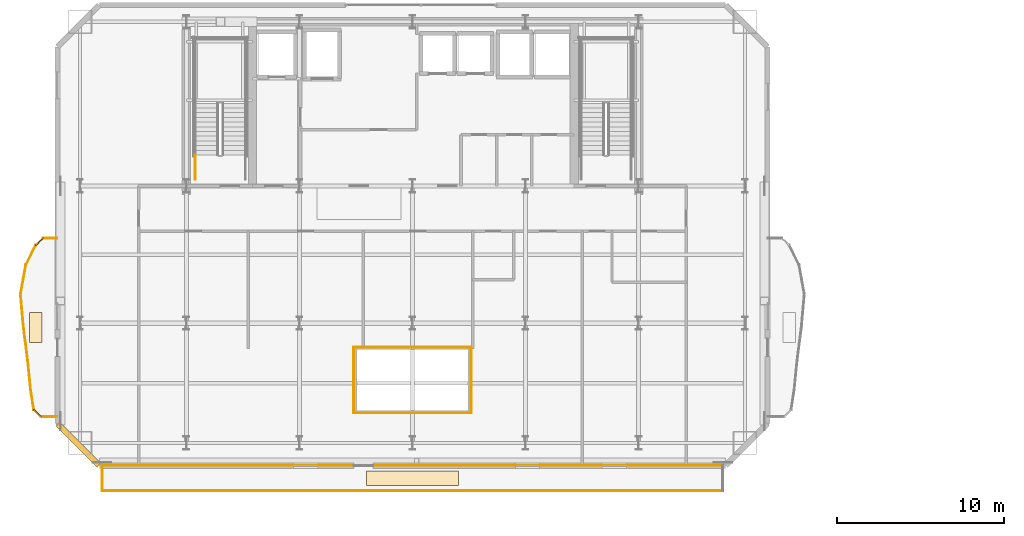
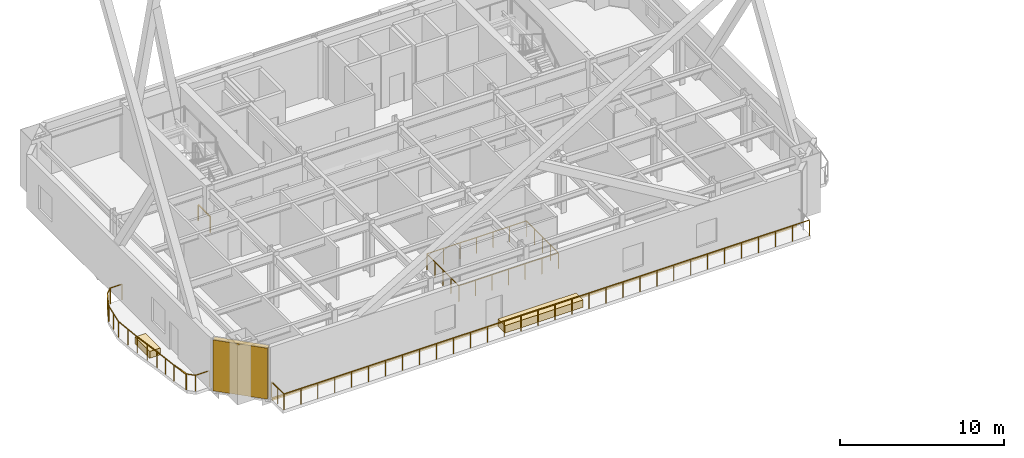
# One storey, part 17 of 22: 17 railings, 3 coverings, 1 shading device.
"""IFC4 building model written with IfcOpenShell, lengths in metres."""

from ifc_helpers import new_model, si_unit, direction, frame, origin, origin_2d, place, context, subcontext, project, spatial, rectangle, extrude, material, layer, layer_set, type_object, element, save


model = new_model("IFC4")

# Units and contexts
model_context = context("Model", 3, precision=1e-05, world=origin(), true_north=direction((0.0, 1.0)))
body_context = subcontext(model_context, "Body", "Model", "MODEL_VIEW")
ifc_project = project(units=[si_unit("LENGTHUNIT", "METRE"), si_unit("AREAUNIT", "SQUARE_METRE"), si_unit("VOLUMEUNIT", "CUBIC_METRE"), si_unit("PLANEANGLEUNIT", "RADIAN"), si_unit("MASSUNIT", "GRAM", prefix="KILO")], contexts=[model_context])

# Site, building, storey
site_placement = place(None, origin())
site = spatial("IfcSite", under=ifc_project, at=site_placement, CompositionType="ELEMENT")
building_placement = place(site_placement, origin())
building = spatial("IfcBuilding", under=site, at=building_placement, Name="Haevon Station Towers", CompositionType="ELEMENT")
storey_placement = place(building_placement, frame((0.0, 0.0, 133.800048828125)))
storey = spatial("IfcBuildingStorey", under=building, at=storey_placement, Name="L36", CompositionType="ELEMENT", Elevation=133.800048828125)

# Railings
ifc_material_1 = material(Name="Steel S355", Category="steel")
railing_type_1 = type_object("IfcRailingType", Name="BAL-ATR1200", PredefinedType="BALUSTRADE", material=ifc_material_1)
railing_1_placement = place(storey_placement, frame((33.995361328125, 24.641357421875, 0.0)))
element("IfcRailing", 1, at=railing_1_placement, inside=storey, type_object=railing_type_1, Name="L36 Atrium Void Balustrade 1", PredefinedType="BALUSTRADE", context=body_context, shape_type="SweptSolid", body=[
    extrude(rectangle(XDim=0.048095703125, YDim=0.048095703125, at=origin_2d()), frame((0.0, 0.0, 1.17578125), z_axis=(1.0, 0.0, 0.0), x_axis=(0.0, 1.0, 0.0)), (0.0, 0.0, 1.0), 7.00927734375),
    extrude(rectangle(XDim=0.0419921875, YDim=0.0419921875, at=origin_2d()), origin(), (0.0, 0.0, 1.0), 1.15185546875),
    extrude(rectangle(XDim=0.0419921875, YDim=0.0419921875, at=origin_2d()), frame((1.168212890625, 0.0, 0.0)), (0.0, 0.0, 1.0), 1.15185546875),
    extrude(rectangle(XDim=0.0419921875, YDim=0.0419921875, at=origin_2d()), frame((2.33642578125, 0.0, 0.0)), (0.0, 0.0, 1.0), 1.15185546875),
    extrude(rectangle(XDim=0.0419921875, YDim=0.0419921875, at=origin_2d()), frame((3.504638671875, 0.0, 0.0)), (0.0, 0.0, 1.0), 1.15185546875),
    extrude(rectangle(XDim=0.0419921875, YDim=0.0419921875, at=origin_2d()), frame((4.6728515625, 0.0, 0.0)), (0.0, 0.0, 1.0), 1.15185546875),
    extrude(rectangle(XDim=0.0419921875, YDim=0.0419921875, at=origin_2d()), frame((5.841064453125, 0.0, 0.0)), (0.0, 0.0, 1.0), 1.15185546875),
    extrude(rectangle(XDim=0.0419921875, YDim=0.0419921875, at=origin_2d()), frame((7.00927734375, 0.0, 0.0)), (0.0, 0.0, 1.0), 1.15185546875),
])
railing_2_placement = place(storey_placement, frame((41.004638671875, 24.641357421875, 0.0)))
element("IfcRailing", 2, at=railing_2_placement, inside=storey, type_object=railing_type_1, Name="L36 Atrium Void Balustrade 2", PredefinedType="BALUSTRADE", context=body_context, shape_type="SweptSolid", body=[
    extrude(rectangle(XDim=0.048095703125, YDim=0.048095703125, at=origin_2d()), frame((0.0, 0.0, 1.17578125), z_axis=(0.0, 1.0, 0.0), x_axis=(-1.0, 0.0, 0.0)), (0.0, 0.0, 1.0), 3.917236328125),
    extrude(rectangle(XDim=0.0419921875, YDim=0.0419921875, at=origin_2d()), origin(), (0.0, 0.0, 1.0), 1.15185546875),
    extrude(rectangle(XDim=0.0419921875, YDim=0.0419921875, at=origin_2d()), frame((0.0, 0.979248046875, 0.0)), (0.0, 0.0, 1.0), 1.15185546875),
    extrude(rectangle(XDim=0.0419921875, YDim=0.0419921875, at=origin_2d()), frame((0.0, 1.95849609375, 0.0)), (0.0, 0.0, 1.0), 1.15185546875),
    extrude(rectangle(XDim=0.0419921875, YDim=0.0419921875, at=origin_2d()), frame((0.0, 2.93798828125, 0.0)), (0.0, 0.0, 1.0), 1.15185546875),
    extrude(rectangle(XDim=0.0419921875, YDim=0.0419921875, at=origin_2d()), frame((0.0, 3.917236328125, 0.0)), (0.0, 0.0, 1.0), 1.15185546875),
])
railing_3_placement = place(storey_placement, frame((41.004638671875, 28.55859375, 0.0)))
element("IfcRailing", 3, at=railing_3_placement, inside=storey, type_object=railing_type_1, Name="L36 Atrium Void Balustrade 3", PredefinedType="BALUSTRADE", context=body_context, shape_type="SweptSolid", body=[
    extrude(rectangle(XDim=0.048095703125, YDim=0.048095703125, at=origin_2d()), frame((0.0, 0.0, 1.17578125), z_axis=(-1.0, 0.0, 0.0), x_axis=(0.0, -1.0, 0.0)), (0.0, 0.0, 1.0), 7.00927734375),
    extrude(rectangle(XDim=0.0419921875, YDim=0.0419921875, at=origin_2d()), origin(), (0.0, 0.0, 1.0), 1.15185546875),
    extrude(rectangle(XDim=0.0419921875, YDim=0.0419921875, at=origin_2d()), frame((-1.168212890625, 0.0, 0.0)), (0.0, 0.0, 1.0), 1.15185546875),
    extrude(rectangle(XDim=0.0419921875, YDim=0.0419921875, at=origin_2d()), frame((-2.33642578125, 0.0, 0.0)), (0.0, 0.0, 1.0), 1.15185546875),
    extrude(rectangle(XDim=0.0419921875, YDim=0.0419921875, at=origin_2d()), frame((-3.504638671875, 0.0, 0.0)), (0.0, 0.0, 1.0), 1.15185546875),
    extrude(rectangle(XDim=0.0419921875, YDim=0.0419921875, at=origin_2d()), frame((-4.6728515625, 0.0, 0.0)), (0.0, 0.0, 1.0), 1.15185546875),
    extrude(rectangle(XDim=0.0419921875, YDim=0.0419921875, at=origin_2d()), frame((-5.841064453125, 0.0, 0.0)), (0.0, 0.0, 1.0), 1.15185546875),
    extrude(rectangle(XDim=0.0419921875, YDim=0.0419921875, at=origin_2d()), frame((-7.00927734375, 0.0, 0.0)), (0.0, 0.0, 1.0), 1.15185546875),
])
railing_4_placement = place(storey_placement, frame((33.995361328125, 28.55859375, 0.0)))
element("IfcRailing", 4, at=railing_4_placement, inside=storey, type_object=railing_type_1, Name="L36 Atrium Void Balustrade 4", PredefinedType="BALUSTRADE", context=body_context, shape_type="SweptSolid", body=[
    extrude(rectangle(XDim=0.048095703125, YDim=0.048095703125, at=origin_2d()), frame((0.0, 0.0, 1.17578125), z_axis=(0.0, -1.0, 0.0), x_axis=(1.0, 0.0, 0.0)), (0.0, 0.0, 1.0), 3.917236328125),
    extrude(rectangle(XDim=0.0419921875, YDim=0.0419921875, at=origin_2d()), origin(), (0.0, 0.0, 1.0), 1.15185546875),
    extrude(rectangle(XDim=0.0419921875, YDim=0.0419921875, at=origin_2d()), frame((0.0, -0.979248046875, 0.0)), (0.0, 0.0, 1.0), 1.15185546875),
    extrude(rectangle(XDim=0.0419921875, YDim=0.0419921875, at=origin_2d()), frame((0.0, -1.95849609375, 0.0)), (0.0, 0.0, 1.0), 1.15185546875),
    extrude(rectangle(XDim=0.0419921875, YDim=0.0419921875, at=origin_2d()), frame((0.0, -2.93798828125, 0.0)), (0.0, 0.0, 1.0), 1.15185546875),
    extrude(rectangle(XDim=0.0419921875, YDim=0.0419921875, at=origin_2d()), frame((0.0, -3.917236328125, 0.0)), (0.0, 0.0, 1.0), 1.15185546875),
])

# Covering
ifc_material_2 = material(Name="Anodised aluminium 6063-T6", Category="aluminium")
ifc_layer_1 = layer(ifc_material_2, 0.0400390625)
ifc_layer_set_1 = layer_set([ifc_layer_1], Name="Anodised aluminium 6063-T6")
covering_type_1 = type_object("IfcCoveringType", Name="COV-CLAD40", PredefinedType="CLADDING", material=ifc_layer_set_1)
covering_1_placement = place(storey_placement, frame((37.5, 21.5, -0.240234375), z_axis=(0.0, 0.0, 1.0), x_axis=(1.0, 0.0, 0.0)))
element("IfcCovering", 5, at=covering_1_placement, inside=storey, type_object=covering_type_1, Name="Tower 1 L36 Spandrel Fascia Cladding", PredefinedType="CLADDING", context=body_context, shape_type="SweptSolid", body=[
    extrude(rectangle(XDim=37.0, YDim=0.0400390625, at=origin_2d()), origin(), (0.0, 0.0, 1.0), 0.239990234375),
])

# Railings
railing_type_2 = type_object("IfcRailingType", Name="GRD-EXT1200", PredefinedType="GUARDRAIL", material=ifc_material_1)
railing_5_placement = place(storey_placement, frame((18.97998046875, 20.003173828125, 0.0)))
element("IfcRailing", 6, at=railing_5_placement, inside=storey, type_object=railing_type_2, Name="L36 Perimeter Guardrail 1", PredefinedType="GUARDRAIL", context=body_context, shape_type="SweptSolid", body=[
    extrude(rectangle(XDim=0.048095703125, YDim=0.048095703125, at=origin_2d()), frame((0.0, 0.0, 1.17578125), z_axis=(1.0, 0.0, 0.0), x_axis=(0.0, 1.0, 0.0)), (0.0, 0.0, 1.0), 37.0400390625),
    extrude(rectangle(XDim=0.0419921875, YDim=0.0419921875, at=origin_2d()), origin(), (0.0, 0.0, 1.0), 1.15185546875),
    extrude(rectangle(XDim=0.0419921875, YDim=0.0419921875, at=origin_2d()), frame((1.19482421875, 0.0, 0.0)), (0.0, 0.0, 1.0), 1.15185546875),
    extrude(rectangle(XDim=0.0419921875, YDim=0.0419921875, at=origin_2d()), frame((2.3896484375, 0.0, 0.0)), (0.0, 0.0, 1.0), 1.15185546875),
    extrude(rectangle(XDim=0.0419921875, YDim=0.0419921875, at=origin_2d()), frame((3.58447265625, 0.0, 0.0)), (0.0, 0.0, 1.0), 1.15185546875),
    extrude(rectangle(XDim=0.0419921875, YDim=0.0419921875, at=origin_2d()), frame((4.779296875, 0.0, 0.0)), (0.0, 0.0, 1.0), 1.15185546875),
    extrude(rectangle(XDim=0.0419921875, YDim=0.0419921875, at=origin_2d()), frame((5.97412109375, 0.0, 0.0)), (0.0, 0.0, 1.0), 1.15185546875),
    extrude(rectangle(XDim=0.0419921875, YDim=0.0419921875, at=origin_2d()), frame((7.1689453125, 0.0, 0.0)), (0.0, 0.0, 1.0), 1.15185546875),
    extrude(rectangle(XDim=0.0419921875, YDim=0.0419921875, at=origin_2d()), frame((8.36376953125, 0.0, 0.0)), (0.0, 0.0, 1.0), 1.15185546875),
    extrude(rectangle(XDim=0.0419921875, YDim=0.0419921875, at=origin_2d()), frame((9.558837890625, 0.0, 0.0)), (0.0, 0.0, 1.0), 1.15185546875),
    extrude(rectangle(XDim=0.0419921875, YDim=0.0419921875, at=origin_2d()), frame((10.753662109375, 0.0, 0.0)), (0.0, 0.0, 1.0), 1.15185546875),
    extrude(rectangle(XDim=0.0419921875, YDim=0.0419921875, at=origin_2d()), frame((11.948486328125, 0.0, 0.0)), (0.0, 0.0, 1.0), 1.15185546875),
    extrude(rectangle(XDim=0.0419921875, YDim=0.0419921875, at=origin_2d()), frame((13.143310546875, 0.0, 0.0)), (0.0, 0.0, 1.0), 1.15185546875),
    extrude(rectangle(XDim=0.0419921875, YDim=0.0419921875, at=origin_2d()), frame((14.338134765625, 0.0, 0.0)), (0.0, 0.0, 1.0), 1.15185546875),
    extrude(rectangle(XDim=0.0419921875, YDim=0.0419921875, at=origin_2d()), frame((15.532958984375, 0.0, 0.0)), (0.0, 0.0, 1.0), 1.15185546875),
    extrude(rectangle(XDim=0.0419921875, YDim=0.0419921875, at=origin_2d()), frame((16.727783203125, 0.0, 0.0)), (0.0, 0.0, 1.0), 1.15185546875),
    extrude(rectangle(XDim=0.0419921875, YDim=0.0419921875, at=origin_2d()), frame((17.922607421875, 0.0, 0.0)), (0.0, 0.0, 1.0), 1.15185546875),
    extrude(rectangle(XDim=0.0419921875, YDim=0.0419921875, at=origin_2d()), frame((19.117431640625, 0.0, 0.0)), (0.0, 0.0, 1.0), 1.15185546875),
    extrude(rectangle(XDim=0.0419921875, YDim=0.0419921875, at=origin_2d()), frame((20.312255859375, 0.0, 0.0)), (0.0, 0.0, 1.0), 1.15185546875),
    extrude(rectangle(XDim=0.0419921875, YDim=0.0419921875, at=origin_2d()), frame((21.507080078125, 0.0, 0.0)), (0.0, 0.0, 1.0), 1.15185546875),
    extrude(rectangle(XDim=0.0419921875, YDim=0.0419921875, at=origin_2d()), frame((22.701904296875, 0.0, 0.0)), (0.0, 0.0, 1.0), 1.15185546875),
    extrude(rectangle(XDim=0.0419921875, YDim=0.0419921875, at=origin_2d()), frame((23.896728515625, 0.0, 0.0)), (0.0, 0.0, 1.0), 1.15185546875),
    extrude(rectangle(XDim=0.0419921875, YDim=0.0419921875, at=origin_2d()), frame((25.091552734375, 0.0, 0.0)), (0.0, 0.0, 1.0), 1.15185546875),
    extrude(rectangle(XDim=0.0419921875, YDim=0.0419921875, at=origin_2d()), frame((26.286376953125, 0.0, 0.0)), (0.0, 0.0, 1.0), 1.15185546875),
    extrude(rectangle(XDim=0.0419921875, YDim=0.0419921875, at=origin_2d()), frame((27.481201171875, 0.0, 0.0)), (0.0, 0.0, 1.0), 1.15185546875),
    extrude(rectangle(XDim=0.0419921875, YDim=0.0419921875, at=origin_2d()), frame((28.67626953125, 0.0, 0.0)), (0.0, 0.0, 1.0), 1.15185546875),
    extrude(rectangle(XDim=0.0419921875, YDim=0.0419921875, at=origin_2d()), frame((29.87109375, 0.0, 0.0)), (0.0, 0.0, 1.0), 1.15185546875),
    extrude(rectangle(XDim=0.0419921875, YDim=0.0419921875, at=origin_2d()), frame((31.06591796875, 0.0, 0.0)), (0.0, 0.0, 1.0), 1.15185546875),
    extrude(rectangle(XDim=0.0419921875, YDim=0.0419921875, at=origin_2d()), frame((32.2607421875, 0.0, 0.0)), (0.0, 0.0, 1.0), 1.15185546875),
    extrude(rectangle(XDim=0.0419921875, YDim=0.0419921875, at=origin_2d()), frame((33.45556640625, 0.0, 0.0)), (0.0, 0.0, 1.0), 1.15185546875),
    extrude(rectangle(XDim=0.0419921875, YDim=0.0419921875, at=origin_2d()), frame((34.650390625, 0.0, 0.0)), (0.0, 0.0, 1.0), 1.15185546875),
    extrude(rectangle(XDim=0.0419921875, YDim=0.0419921875, at=origin_2d()), frame((35.84521484375, 0.0, 0.0)), (0.0, 0.0, 1.0), 1.15185546875),
    extrude(rectangle(XDim=0.0419921875, YDim=0.0419921875, at=origin_2d()), frame((37.0400390625, 0.0, 0.0)), (0.0, 0.0, 1.0), 1.15185546875),
])
railing_6_placement = place(storey_placement, frame((18.97998046875, 21.49169921875, 0.0)))
element("IfcRailing", 7, at=railing_6_placement, inside=storey, type_object=railing_type_2, Name="L36 Perimeter Guardrail 3", PredefinedType="GUARDRAIL", context=body_context, shape_type="SweptSolid", body=[
    extrude(rectangle(XDim=0.048095703125, YDim=0.048095703125, at=origin_2d()), frame((0.0, 0.0, 1.17578125), z_axis=(0.0, -1.0, 0.0), x_axis=(1.0, 0.0, 0.0)), (0.0, 0.0, 1.0), 1.488525390625),
    extrude(rectangle(XDim=0.0419921875, YDim=0.0419921875, at=origin_2d()), origin(), (0.0, 0.0, 1.0), 1.15185546875),
    extrude(rectangle(XDim=0.0419921875, YDim=0.0419921875, at=origin_2d()), frame((0.0, -0.744140625, 0.0)), (0.0, 0.0, 1.0), 1.15185546875),
    extrude(rectangle(XDim=0.0419921875, YDim=0.0419921875, at=origin_2d()), frame((0.0, -1.488525390625, 0.0)), (0.0, 0.0, 1.0), 1.15185546875),
])
railing_7_placement = place(storey_placement, frame((16.2763671875, 35.072265625, 0.0)))
element("IfcRailing", 8, at=railing_7_placement, inside=storey, type_object=railing_type_2, Name="L36 Perimeter Guardrail 1", PredefinedType="GUARDRAIL", context=body_context, shape_type="SweptSolid", body=[
    extrude(rectangle(XDim=0.048095703125, YDim=0.048095703125, at=origin_2d()), frame((0.0, 0.0, 1.17578125), z_axis=(-0.999997283225, -0.002330995998, 0.0), x_axis=(0.002330995998, -0.999997283225, 0.0)), (0.0, 0.0, 1.0), 0.837890625),
    extrude(rectangle(XDim=0.0419921875, YDim=0.0419921875, at=origin_2d()), origin(), (0.0, 0.0, 1.0), 1.15185546875),
    extrude(rectangle(XDim=0.0419921875, YDim=0.0419921875, at=origin_2d()), frame((-0.837890625, -0.001953125, 0.0)), (0.0, 0.0, 1.0), 1.15185546875),
])
railing_8_placement = place(storey_placement, frame((15.4384765625, 35.0703125, 0.0)))
element("IfcRailing", 9, at=railing_8_placement, inside=storey, type_object=railing_type_2, Name="L36 Perimeter Guardrail 2", PredefinedType="GUARDRAIL", context=body_context, shape_type="SweptSolid", body=[
    extrude(rectangle(XDim=0.048095703125, YDim=0.048095703125, at=origin_2d()), frame((0.0, 0.0, 1.17578125), z_axis=(-0.721936917326, -0.691958876959, 0.0), x_axis=(0.691958876959, -0.721936917326, 0.0)), (0.0, 0.0, 1.0), 0.594482421875),
    extrude(rectangle(XDim=0.0419921875, YDim=0.0419921875, at=origin_2d()), origin(), (0.0, 0.0, 1.0), 1.15185546875),
    extrude(rectangle(XDim=0.0419921875, YDim=0.0419921875, at=origin_2d()), frame((-0.42919921875, -0.411376953125, 0.0)), (0.0, 0.0, 1.0), 1.15185546875),
])
railing_9_placement = place(storey_placement, frame((15.00927734375, 34.658935546875, 0.0)))
element("IfcRailing", 10, at=railing_9_placement, inside=storey, type_object=railing_type_2, Name="L36 Perimeter Guardrail 3", PredefinedType="GUARDRAIL", context=body_context, shape_type="SweptSolid", body=[
    extrude(rectangle(XDim=0.048095703125, YDim=0.048095703125, at=origin_2d()), frame((0.0, 0.0, 1.17578125), z_axis=(-0.452787965093, -0.891618224728, 0.0), x_axis=(0.891618224728, -0.452787965093, 0.0)), (0.0, 0.0, 1.0), 1.311767578125),
    extrude(rectangle(XDim=0.0419921875, YDim=0.0419921875, at=origin_2d()), origin(), (0.0, 0.0, 1.0), 1.15185546875),
    extrude(rectangle(XDim=0.0419921875, YDim=0.0419921875, at=origin_2d()), frame((-0.296875, -0.5849609375, 0.0)), (0.0, 0.0, 1.0), 1.15185546875),
    extrude(rectangle(XDim=0.0419921875, YDim=0.0419921875, at=origin_2d()), frame((-0.593994140625, -1.169677734375, 0.0)), (0.0, 0.0, 1.0), 1.15185546875),
])
railing_10_placement = place(storey_placement, frame((14.415283203125, 33.4892578125, 0.0)))
element("IfcRailing", 11, at=railing_10_placement, inside=storey, type_object=railing_type_2, Name="L36 Perimeter Guardrail 4", PredefinedType="GUARDRAIL", context=body_context, shape_type="SweptSolid", body=[
    extrude(rectangle(XDim=0.048095703125, YDim=0.048095703125, at=origin_2d()), frame((0.0, 0.0, 1.17578125), z_axis=(-0.179418162839, -0.983772902068, 0.0), x_axis=(0.983772902068, -0.179418162839, 0.0)), (0.0, 0.0, 1.0), 1.7744140625),
    extrude(rectangle(XDim=0.0419921875, YDim=0.0419921875, at=origin_2d()), origin(), (0.0, 0.0, 1.0), 1.15185546875),
    extrude(rectangle(XDim=0.0419921875, YDim=0.0419921875, at=origin_2d()), frame((-0.1591796875, -0.872802734375, 0.0)), (0.0, 0.0, 1.0), 1.15185546875),
    extrude(rectangle(XDim=0.0419921875, YDim=0.0419921875, at=origin_2d()), frame((-0.318359375, -1.74560546875, 0.0)), (0.0, 0.0, 1.0), 1.15185546875),
])
railing_11_placement = place(storey_placement, frame((14.096923828125, 31.74365234375, 0.0)))
element("IfcRailing", 12, at=railing_11_placement, inside=storey, type_object=railing_type_2, Name="L36 Perimeter Guardrail 5", PredefinedType="GUARDRAIL", context=body_context, shape_type="SweptSolid", body=[
    extrude(rectangle(XDim=0.048095703125, YDim=0.048095703125, at=origin_2d()), frame((0.0, 0.0, 1.17578125), z_axis=(0.088918972693, -0.996038862844, 0.0), x_axis=(0.996038862844, 0.088918972693, 0.0)), (0.0, 0.0, 1.0), 2.00146484375),
    extrude(rectangle(XDim=0.0419921875, YDim=0.0419921875, at=origin_2d()), origin(), (0.0, 0.0, 1.0), 1.15185546875),
    extrude(rectangle(XDim=0.0419921875, YDim=0.0419921875, at=origin_2d()), frame((0.0888671875, -0.996826171875, 0.0)), (0.0, 0.0, 1.0), 1.15185546875),
    extrude(rectangle(XDim=0.0419921875, YDim=0.0419921875, at=origin_2d()), frame((0.177978515625, -1.99365234375, 0.0)), (0.0, 0.0, 1.0), 1.15185546875),
])
railing_12_placement = place(storey_placement, frame((14.27490234375, 29.75, 0.0)))
element("IfcRailing", 13, at=railing_12_placement, inside=storey, type_object=railing_type_2, Name="L36 Perimeter Guardrail 6", PredefinedType="GUARDRAIL", context=body_context, shape_type="SweptSolid", body=[
    extrude(rectangle(XDim=0.048095703125, YDim=0.048095703125, at=origin_2d()), frame((0.0, 0.0, 1.17578125), z_axis=(0.127480675673, -0.991841054469, 0.0), x_axis=(0.991841054469, 0.127480675673, 0.0)), (0.0, 0.0, 1.0), 2.005126953125),
    extrude(rectangle(XDim=0.0419921875, YDim=0.0419921875, at=origin_2d()), origin(), (0.0, 0.0, 1.0), 1.15185546875),
    extrude(rectangle(XDim=0.0419921875, YDim=0.0419921875, at=origin_2d()), frame((0.1279296875, -0.994384765625, 0.0)), (0.0, 0.0, 1.0), 1.15185546875),
    extrude(rectangle(XDim=0.0419921875, YDim=0.0419921875, at=origin_2d()), frame((0.255615234375, -1.98876953125, 0.0)), (0.0, 0.0, 1.0), 1.15185546875),
])
railing_13_placement = place(storey_placement, frame((14.530517578125, 27.76123046875, 0.0)))
element("IfcRailing", 14, at=railing_13_placement, inside=storey, type_object=railing_type_2, Name="L36 Perimeter Guardrail 7", PredefinedType="GUARDRAIL", context=body_context, shape_type="SweptSolid", body=[
    extrude(rectangle(XDim=0.048095703125, YDim=0.048095703125, at=origin_2d()), frame((0.0, 0.0, 1.17578125), z_axis=(0.100369612016, -0.994950220355, 0.0), x_axis=(0.994950220355, 0.100369612016, 0.0)), (0.0, 0.0, 1.0), 1.758544921875),
    extrude(rectangle(XDim=0.0419921875, YDim=0.0419921875, at=origin_2d()), origin(), (0.0, 0.0, 1.0), 1.15185546875),
    extrude(rectangle(XDim=0.0419921875, YDim=0.0419921875, at=origin_2d()), frame((0.08837890625, -0.875, 0.0)), (0.0, 0.0, 1.0), 1.15185546875),
    extrude(rectangle(XDim=0.0419921875, YDim=0.0419921875, at=origin_2d()), frame((0.176513671875, -1.749755859375, 0.0)), (0.0, 0.0, 1.0), 1.15185546875),
])
railing_14_placement = place(storey_placement, frame((14.70703125, 26.011474609375, 0.0)))
element("IfcRailing", 15, at=railing_14_placement, inside=storey, type_object=railing_type_2, Name="L36 Perimeter Guardrail 8", PredefinedType="GUARDRAIL", context=body_context, shape_type="SweptSolid", body=[
    extrude(rectangle(XDim=0.048095703125, YDim=0.048095703125, at=origin_2d()), frame((0.0, 0.0, 1.17578125), z_axis=(0.151545873125, -0.988450225524, 0.0), x_axis=(0.988450225524, 0.151545873125, 0.0)), (0.0, 0.0, 1.0), 1.18408203125),
    extrude(rectangle(XDim=0.0419921875, YDim=0.0419921875, at=origin_2d()), origin(), (0.0, 0.0, 1.0), 1.15185546875),
    extrude(rectangle(XDim=0.0419921875, YDim=0.0419921875, at=origin_2d()), frame((0.179443359375, -1.17041015625, 0.0)), (0.0, 0.0, 1.0), 1.15185546875),
])
railing_15_placement = place(storey_placement, frame((14.886474609375, 24.841064453125, 0.0)))
element("IfcRailing", 16, at=railing_15_placement, inside=storey, type_object=railing_type_2, Name="L36 Perimeter Guardrail 9", PredefinedType="GUARDRAIL", context=body_context, shape_type="SweptSolid", body=[
    extrude(rectangle(XDim=0.048095703125, YDim=0.048095703125, at=origin_2d()), frame((0.0, 0.0, 1.17578125), z_axis=(0.710855721551, -0.703337858456, 0.0), x_axis=(0.703337858456, 0.710855721551, 0.0)), (0.0, 0.0, 1.0), 0.58447265625),
    extrude(rectangle(XDim=0.0419921875, YDim=0.0419921875, at=origin_2d()), origin(), (0.0, 0.0, 1.0), 1.15185546875),
    extrude(rectangle(XDim=0.0419921875, YDim=0.0419921875, at=origin_2d()), frame((0.41552734375, -0.4111328125, 0.0)), (0.0, 0.0, 1.0), 1.15185546875),
])
railing_16_placement = place(storey_placement, frame((15.302001953125, 24.429931640625, 0.0)))
element("IfcRailing", 17, at=railing_16_placement, inside=storey, type_object=railing_type_2, Name="L36 Perimeter Guardrail 10", PredefinedType="GUARDRAIL", context=body_context, shape_type="SweptSolid", body=[
    extrude(rectangle(XDim=0.048095703125, YDim=0.048095703125, at=origin_2d()), frame((0.0, 0.0, 1.17578125), z_axis=(0.999997457331, -0.002255068182, 0.0), x_axis=(0.002255068182, 0.999997457331, 0.0)), (0.0, 0.0, 1.0), 0.974365234375),
    extrude(rectangle(XDim=0.0419921875, YDim=0.0419921875, at=origin_2d()), origin(), (0.0, 0.0, 1.0), 1.15185546875),
    extrude(rectangle(XDim=0.0419921875, YDim=0.0419921875, at=origin_2d()), frame((0.974365234375, -0.002197265625, 0.0)), (0.0, 0.0, 1.0), 1.15185546875),
])
railing_type_3 = type_object("IfcRailingType", Name="GRD-STR1200", PredefinedType="GUARDRAIL", material=ifc_material_1)
railing_17_placement = place(storey_placement, frame((24.530029296875, 38.60009765625, 0.0)))
element("IfcRailing", 18, at=railing_17_placement, inside=storey, type_object=railing_type_3, Name="L36 ST1 Stair Guard 9", PredefinedType="GUARDRAIL", context=body_context, shape_type="SweptSolid", body=[
    extrude(rectangle(XDim=0.048095703125, YDim=0.048095703125, at=origin_2d()), frame((0.0, 0.0, 1.17578125), z_axis=(0.0, 1.0, 0.0), x_axis=(-1.0, 0.0, 0.0)), (0.0, 0.0, 1.0), 1.449951171875),
    extrude(rectangle(XDim=0.0419921875, YDim=0.0419921875, at=origin_2d()), origin(), (0.0, 0.0, 1.0), 1.15185546875),
    extrude(rectangle(XDim=0.0419921875, YDim=0.0419921875, at=origin_2d()), frame((0.0, 1.449951171875, 0.0)), (0.0, 0.0, 1.0), 1.15185546875),
])

# Coverings
ifc_material_3 = material(Name="Architectural planter GRC", Category="concrete")
ifc_layer_2 = layer(ifc_material_3, 0.550048828125)
ifc_layer_set_2 = layer_set([ifc_layer_2], Name="Architectural planter GRC")
covering_type_2 = type_object("IfcCoveringType", Name="PLN-GRC550", PredefinedType="MOLDING", material=ifc_layer_set_2)
covering_2_placement = place(storey_placement, frame((37.5, 20.74755859375, 0.0), z_axis=(0.0, 0.0, 1.0), x_axis=(1.0, 0.0, 0.0)))
element("IfcCovering", 19, at=covering_2_placement, inside=storey, type_object=covering_type_2, Name="Tower 1 L36 Sky-Garden GRC PLANTER", PredefinedType="MOLDING", context=body_context, shape_type="SweptSolid", body=[
    extrude(rectangle(XDim=5.5, YDim=0.85009765625, at=origin_2d()), origin(), (0.0, 0.0, 1.0), 0.550048828125),
])
covering_3_placement = place(storey_placement, frame((15.010009765625, 29.75, 0.0), z_axis=(0.0, 0.0, 1.0), x_axis=(1.0, 0.0, 0.0)))
element("IfcCovering", 20, at=covering_3_placement, inside=storey, type_object=covering_type_2, Name="Tower 1 L36 Scalloped Balcony PLANTER", PredefinedType="MOLDING", context=body_context, shape_type="SweptSolid", body=[
    extrude(rectangle(XDim=0.75, YDim=1.800048828125, at=origin_2d()), origin(), (0.0, 0.0, 1.0), 0.5),
])

# Shading device
ifc_layer_3 = layer(ifc_material_2, 0.139892578125)
ifc_layer_set_3 = layer_set([ifc_layer_3], Name="Anodised aluminium 6063-T6")
shading_device_type = type_object("IfcShadingDeviceType", Name="SHD-WIND-BAFFLE", PredefinedType="SHUTTER", material=ifc_layer_set_3)
shading_device_placement = place(storey_placement, frame((17.550048828125, 22.75, 0.0498046875), z_axis=(0.0, 0.0, 1.0), x_axis=(-0.707106781187, 0.707106781187, 0.0)))
element("IfcShadingDevice", 21, at=shading_device_placement, inside=storey, type_object=shading_device_type, Name="Tower 1 L36 Wind-Corner Aerofoil Baffle SWC", PredefinedType="SHUTTER", context=body_context, shape_type="SweptSolid", body=[
    extrude(rectangle(XDim=3.435546875, YDim=0.340087890625, at=origin_2d()), origin(), (0.0, 0.0, 1.0), 3.800048828125),
])

save(model, "model.ifc")
